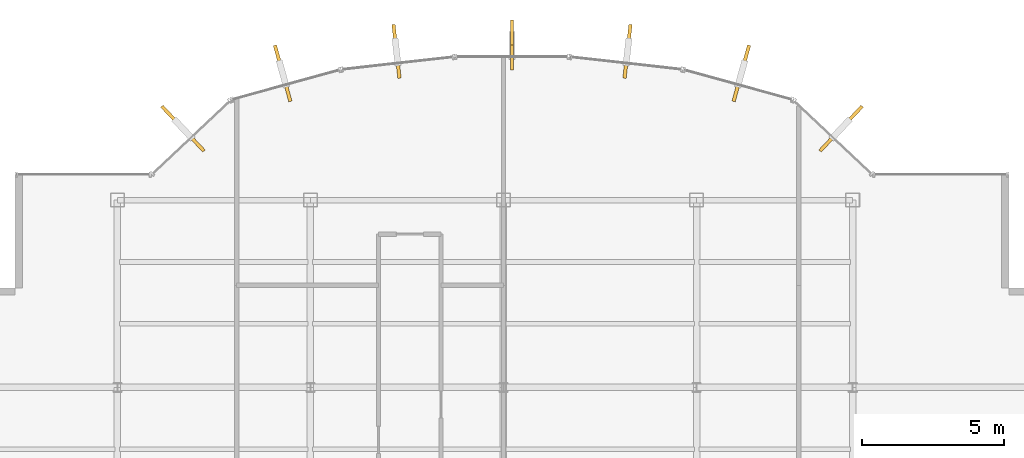
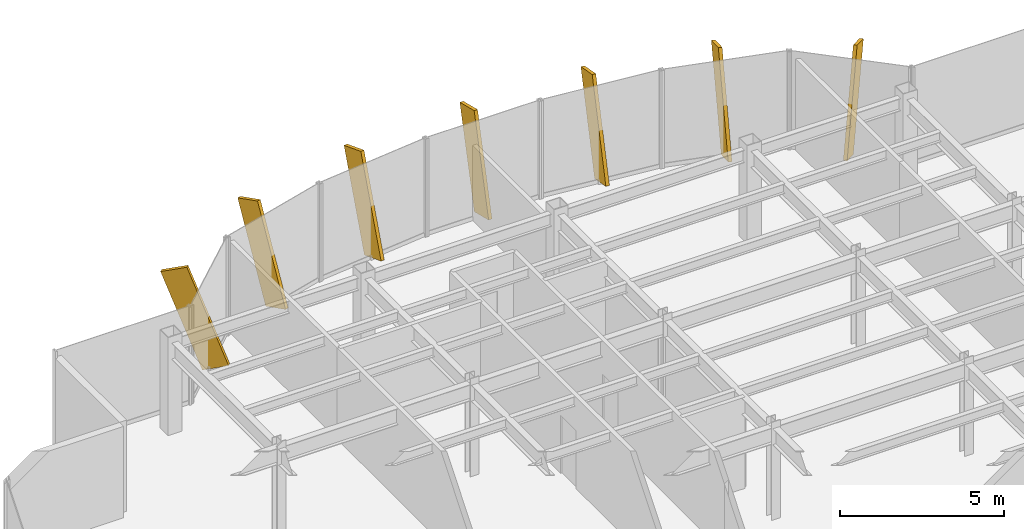
# One storey, part 21 of 22: 7 shading devices.
"""IFC4 building model written with IfcOpenShell, lengths in metres."""

from ifc_helpers import new_model, si_unit, derived_unit, direction, frame, origin, origin_2d, place, context, subcontext, project, spatial, rectangle, extrude, source, transform, mapped, material, type_object, element, save


model = new_model("IFC4")

# Units and contexts
model_context = context("Model", 3, precision=1e-05, world=origin(), true_north=direction((0.0, 1.0)))
body_context = subcontext(model_context, "Body", "Model", "MODEL_VIEW")
ifc_project = project(units=[si_unit("LENGTHUNIT", "METRE"), si_unit("AREAUNIT", "SQUARE_METRE"), si_unit("VOLUMEUNIT", "CUBIC_METRE"), si_unit("PLANEANGLEUNIT", "RADIAN"), si_unit("MASSUNIT", "GRAM", prefix="KILO"), derived_unit("THERMALTRANSMITTANCEUNIT", [(si_unit("POWERUNIT", "WATT"), 1), (si_unit("LENGTHUNIT", "METRE"), -2), (si_unit("THERMODYNAMICTEMPERATUREUNIT", "KELVIN"), -1)])], contexts=[model_context])

# Site, building, storey
site_placement = place(None, origin())
site = spatial("IfcSite", under=ifc_project, at=site_placement, CompositionType="ELEMENT")
building_placement = place(site_placement, origin())
building = spatial("IfcBuilding", under=site, at=building_placement, Name="Skarnbrae Concourse Arena and Tower", CompositionType="ELEMENT")
storey_placement = place(building_placement, frame((0.0, 0.0, 228.75)))
storey = spatial("IfcBuildingStorey", under=building, at=storey_placement, Name="L59", CompositionType="ELEMENT", Elevation=228.75)

# Shading devices
ifc_material = material(Name="Bronze anodised aluminium 6063-T6", Category="aluminium")
shading_device_type = type_object("IfcShadingDeviceType", Name="SHD-BRONZE-FIN-900", PredefinedType="USERDEFINED", material=ifc_material)
shared_shape = source(origin(), body_context, "Body", "SweptSolid", [
    extrude(rectangle(XDim=0.1201171875, YDim=0.89990234375, at=origin_2d()), origin(), (0.0, 0.0, 1.0), 3.64990234375),
])
for number, where, z_axis, x_axis, name in (
    (1, (32.63720703125, 36.435302734375, 0.125244140625), (0.249654525872, 0.265205022033, 0.931310320999), (0.728131751529, -0.685437198009, 0.0), "L59 Outward-leaning bronze shading fin 08"),
    (2, (29.419921875, 38.288330078125, 0.101318359375), (0.087333025047, 0.316887720193, 0.944433753911), (0.964058316208, -0.265690728011, 0.0), "L59 Outward-leaning bronze shading fin 09"),
    (3, (25.51025390625, 39.12060546875, 0.076171875), (0.031877702712, 0.284240906458, 0.95822279203), (0.993769864509, -0.111451587667, 0.0), "L59 Outward-leaning bronze shading fin 10"),
    (4, (21.5, 39.42529296875, 0.05419921875), (0.0, 0.2419218956, 0.970295726276), (1.0, 0.0, 0.0), "L59 Outward-leaning bronze shading fin 11"),
    (5, (17.48974609375, 39.12060546875, 0.076171875), (-0.031877702712, 0.284240906458, 0.95822279203), (0.993769864509, 0.111451587667, 0.0), "L59 Outward-leaning bronze shading fin 12"),
    (6, (13.580078125, 38.288330078125, 0.101318359375), (-0.087333025047, 0.316887720193, 0.944433753911), (0.964058316208, 0.265690728011, 0.0), "L59 Outward-leaning bronze shading fin 13"),
    (7, (10.36279296875, 36.435302734375, 0.125244140625), (-0.249654525872, 0.265205022033, 0.931310320999), (0.728131751529, 0.685437198009, 0.0), "L59 Outward-leaning bronze shading fin 14"),
):
    element("IfcShadingDevice", number, at=place(storey_placement, frame(where, z_axis=z_axis, x_axis=x_axis)), inside=storey, type_object=shading_device_type, Name=name, ObjectType="FIN", PredefinedType="USERDEFINED", context=body_context, shape_type="MappedRepresentation", body=[
        mapped(shared_shape, transform((0.0, 0.0, 0.0))),
    ])

save(model, "model.ifc")
